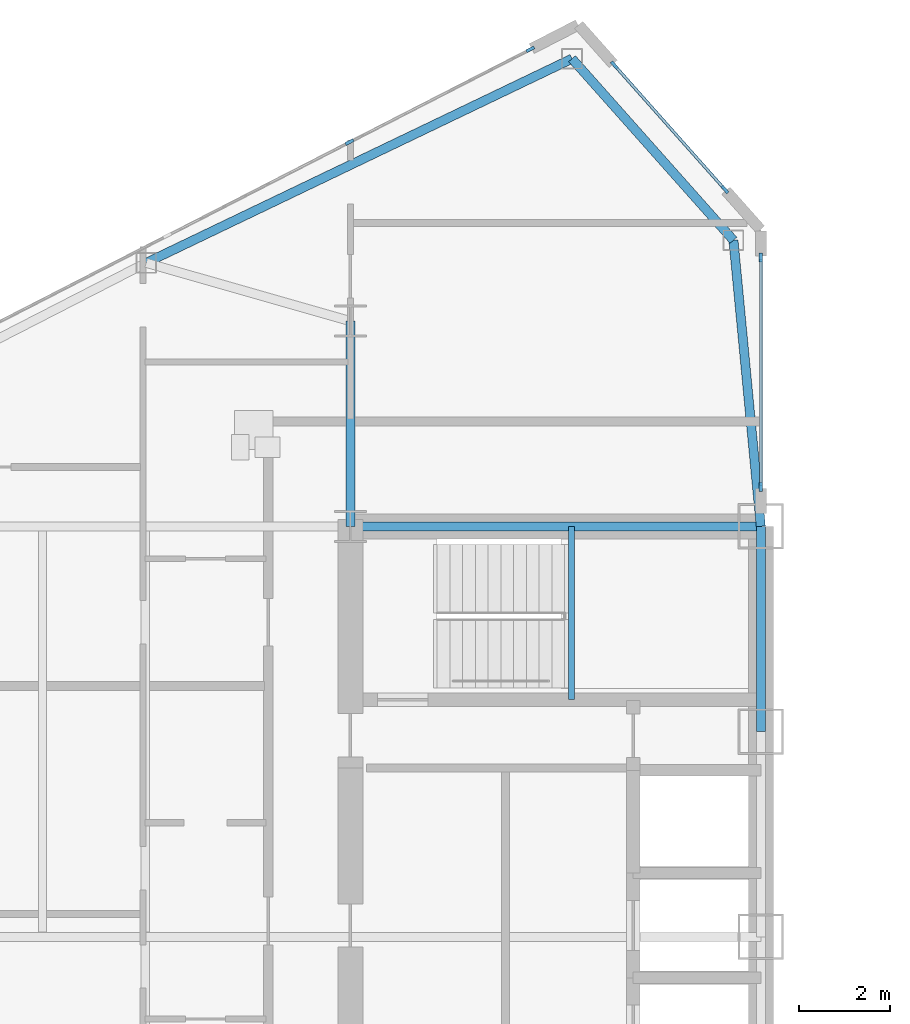
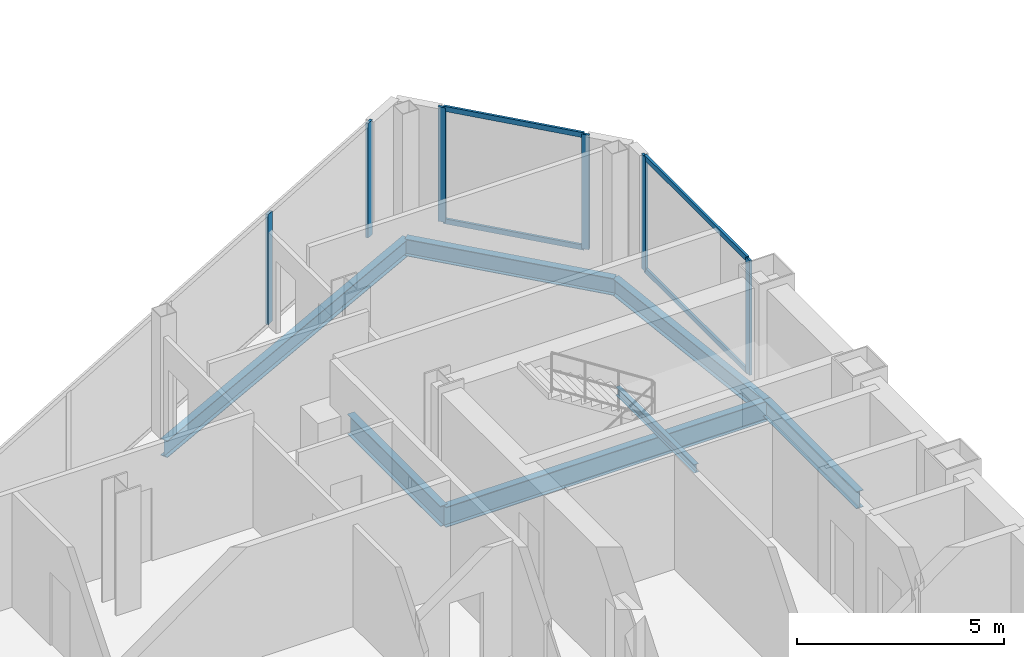
# One storey, part 7 of 23: 10 members, 7 beams, 3 elements without a shape of their own.
"""IFC4 building model written with IfcOpenShell, lengths in metres."""

from ifc_helpers import new_model, si_unit, direction, frame, origin, origin_2d, place, context, subcontext, project, spatial, rectangle, i_section, extrude, source, transform, mapped, material, layer, layer_set, material_profile, profile_set, type_object, type_shapes, element, aggregate, save


model = new_model("IFC4")

# Units and contexts
model_context = context("Model", 3, precision=1e-05, world=origin(), true_north=direction((0.0, 1.0)))
body_context = subcontext(model_context, "Body", "Model", "MODEL_VIEW")
ifc_project = project(units=[si_unit("LENGTHUNIT", "METRE"), si_unit("AREAUNIT", "SQUARE_METRE"), si_unit("VOLUMEUNIT", "CUBIC_METRE"), si_unit("PLANEANGLEUNIT", "RADIAN"), si_unit("MASSUNIT", "GRAM", prefix="KILO")], contexts=[model_context])

# Site, building, storey
site_placement = place(None, origin())
site = spatial("IfcSite", under=ifc_project, at=site_placement, CompositionType="ELEMENT")
building_placement = place(site_placement, origin())
building = spatial("IfcBuilding", under=site, at=building_placement, Name="Seokmaru Belvedere", CompositionType="ELEMENT")
storey_placement = place(building_placement, frame((0.0, 0.0, 144.0)))
storey = spatial("IfcBuildingStorey", under=building, at=storey_placement, Name="L38", CompositionType="ELEMENT", Elevation=144.0)

# Beams
ifc_material_1 = material(Name="Steel SM355 (355 MPa)", Category="steel")
ifc_material_profile_1 = material_profile(ifc_material_1, i_section(OverallWidth=0.199951171875, OverallDepth=0.5, WebThickness=0.010009765625, FlangeThickness=0.01611328125, at=origin_2d()), Name="H-500x200x10x16")
ifc_profile_set_1 = profile_set([ifc_material_profile_1], Name="Steel SM355 (355 MPa)")
beam_type_1 = type_object("IfcBeamType", Name="Perimeter Spandrel Beam H-500", PredefinedType="SPANDREL", material=ifc_profile_set_1)
shared_shape_1 = source(origin(), body_context, "Body", "SweptSolid", [
    extrude(i_section(OverallWidth=0.199951171875, OverallDepth=0.5, WebThickness=0.010009765625, FlangeThickness=0.01611328125, at=origin_2d()), origin(), (0.0, 0.0, 1.0), 4.5),
])
beam_1_placement = place(storey_placement, frame((-27.5, 9.0, -0.469970703125), z_axis=(0.0, 1.0, 0.0), x_axis=(-1.0, 0.0, 0.0)))
element("IfcBeam", 1, at=beam_1_placement, inside=storey, type_object=beam_type_1, Name="L38 W Portal Spine Spandrel 5", PredefinedType="SPANDREL", context=body_context, shape_type="MappedRepresentation", body=[
    mapped(shared_shape_1, transform((0.0, 0.0, 0.0), scale=1.0)),
])
ifc_material_profile_2 = material_profile(ifc_material_1, i_section(OverallWidth=0.199951171875, OverallDepth=0.60009765625, WebThickness=0.010986328125, FlangeThickness=0.01708984375, at=origin_2d()), Name="H-600x200x11x17")
ifc_profile_set_2 = profile_set([ifc_material_profile_2], Name="Steel SM355 (355 MPa)")
beam_type_2 = type_object("IfcBeamType", Name="Primary Floor Girder H-600", PredefinedType="BEAM", material=ifc_profile_set_2)
shared_shape_2 = source(origin(), body_context, "Body", "SweptSolid", [
    extrude(i_section(OverallWidth=0.199951171875, OverallDepth=0.60009765625, WebThickness=0.010986328125, FlangeThickness=0.01708984375, at=origin_2d()), origin(), (0.0, 0.0, 1.0), 9.0),
])
beam_2_placement = place(storey_placement, frame((-36.5, 13.5, -0.52001953125), z_axis=(1.0, 0.0, 0.0), x_axis=(0.0, 1.0, 0.0)))
element("IfcBeam", 2, at=beam_2_placement, inside=storey, type_object=beam_type_2, Name="L38 W Core Tie Girder 4", PredefinedType="BEAM", context=body_context, shape_type="MappedRepresentation", body=[
    mapped(shared_shape_2, transform((0.0, 0.0, 0.0), scale=1.0)),
])
shared_shape_3 = source(origin(), body_context, "Body", "SweptSolid", [
    extrude(i_section(OverallWidth=0.199951171875, OverallDepth=0.60009765625, WebThickness=0.010986328125, FlangeThickness=0.01708984375, at=origin_2d()), origin(), (0.0, 0.0, 1.0), 4.5),
])
type_shapes(beam_type_2, [shared_shape_2, shared_shape_3])
beam_3_placement = place(storey_placement, frame((-36.5, 13.5, -0.52001953125), z_axis=(0.0, 1.0, 0.0), x_axis=(-1.0, 0.0, 0.0)))
element("IfcBeam", 3, at=beam_3_placement, inside=storey, type_object=beam_type_2, Name="L38 W Core Shoulder Girder N", PredefinedType="BEAM", context=body_context, shape_type="MappedRepresentation", body=[
    mapped(shared_shape_3, transform((0.0, 0.0, 0.0), scale=1.0)),
])
shared_shape_4 = source(origin(), body_context, "Body", "SweptSolid", [
    extrude(i_section(OverallWidth=0.199951171875, OverallDepth=0.5, WebThickness=0.010009765625, FlangeThickness=0.01611328125, at=origin_2d()), origin(), (0.0, 0.0, 1.0), 10.353759765625),
])
beam_4_placement = place(storey_placement, frame((-31.6396484375, 23.75390625, -0.469970703125), z_axis=(-0.901713202822, -0.432334708134, 0.0), x_axis=(0.432334708134, -0.901713202822, 0.0)))
element("IfcBeam", 4, at=beam_4_placement, inside=storey, type_object=beam_type_1, Name="L38 W Faceted Flank Spandrel N-1", PredefinedType="SPANDREL", context=body_context, shape_type="MappedRepresentation", body=[
    mapped(shared_shape_4, transform((0.0, 0.0, 0.0), scale=1.0)),
])
shared_shape_5 = source(origin(), body_context, "Body", "SweptSolid", [
    extrude(i_section(OverallWidth=0.199951171875, OverallDepth=0.5, WebThickness=0.010009765625, FlangeThickness=0.01611328125, at=origin_2d()), origin(), (0.0, 0.0, 1.0), 5.32763671875),
])
beam_5_placement = place(storey_placement, frame((-31.6396484375, 23.75390625, -0.469970703125), z_axis=(0.66436952742, -0.74740426212, 0.0), x_axis=(0.74740426212, 0.66436952742, 0.0)))
element("IfcBeam", 5, at=beam_5_placement, inside=storey, type_object=beam_type_1, Name="L38 W Shoulder Chamfer Spandrel N", PredefinedType="SPANDREL", context=body_context, shape_type="MappedRepresentation", body=[
    mapped(shared_shape_5, transform((0.0, 0.0, 0.0), scale=1.0)),
])
shared_shape_6 = source(origin(), body_context, "Body", "SweptSolid", [
    extrude(i_section(OverallWidth=0.199951171875, OverallDepth=0.5, WebThickness=0.010009765625, FlangeThickness=0.01611328125, at=origin_2d()), origin(), (0.0, 0.0, 1.0), 6.300537109375),
])
type_shapes(beam_type_1, [shared_shape_1, shared_shape_4, shared_shape_5, shared_shape_6])
beam_6_placement = place(storey_placement, frame((-28.10009765625, 19.77197265625, -0.469970703125), z_axis=(0.095244287992, -0.995453929424, 0.0), x_axis=(0.995453929424, 0.095244287992, 0.0)))
element("IfcBeam", 6, at=beam_6_placement, inside=storey, type_object=beam_type_1, Name="L38 W Shoulder Spine Spandrel N", PredefinedType="SPANDREL", context=body_context, shape_type="MappedRepresentation", body=[
    mapped(shared_shape_6, transform((0.0, 0.0, 0.0), scale=1.0)),
])

# Curtain wall, members
ifc_material_2 = material(Name="Bronze Triple Insulating Glass", Category="glass")
ifc_layer = layer(ifc_material_2, 0.195068359375)
ifc_layer_set = layer_set([ifc_layer], Name="Bronze Triple Insulating Glass")
curtain_wall_type = type_object("IfcCurtainWallType", Name="Sky-Lobby and Mid-Rise Curtain Wall System CW-4", PredefinedType="NOTDEFINED", material=ifc_layer_set)
curtain_wall_1_placement = place(storey_placement, origin())
curtain_wall_1 = element("IfcCurtainWall", 7, at=curtain_wall_1_placement, inside=storey, type_object=curtain_wall_type, Name="L38 Curtain Wall WSP_2", PredefinedType="NOTDEFINED")
ifc_material_3 = material(Name="Anodised Bronze Aluminium", Category="aluminium")
ifc_material_profile_3 = material_profile(ifc_material_3, rectangle(XDim=0.070068359375, YDim=0.195068359375, at=origin_2d()), Name="CW-M-70x195")
ifc_profile_set_3 = profile_set([ifc_material_profile_3], Name="Anodised Bronze Aluminium")
member_type_1 = type_object("IfcMemberType", Name="Bronze Unitised Mullion 70x195", PredefinedType="MULLION", material=ifc_profile_set_3)
shared_shape_7 = source(origin(), body_context, "Body", "SweptSolid", [
    extrude(rectangle(XDim=0.070068359375, YDim=0.195068359375, at=origin_2d()), origin(), (0.0, 0.0, 1.0), 3.3798828125),
])
member_1_placement = place(storey_placement, frame((-27.5, 14.364990234375, 0.0), z_axis=(0.0, 0.0, 1.0), x_axis=(-1.0, 0.0, 0.0)))
member_1 = element("IfcMember", 8, at=member_1_placement, type_object=member_type_1, Name="CW:L38:WSP_2 Mullion 1", PredefinedType="MULLION", context=body_context, shape_type="MappedRepresentation", body=[
    mapped(shared_shape_7, transform((0.0, 0.0, 0.0), scale=1.0)),
])
member_2_placement = place(storey_placement, frame((-27.5, 19.39501953125, 0.0), z_axis=(0.0, 0.0, 1.0), x_axis=(-1.0, 0.0, 0.0)))
member_2 = element("IfcMember", 9, at=member_2_placement, type_object=member_type_1, Name="CW:L38:WSP_2 Mullion 2", PredefinedType="MULLION", context=body_context, shape_type="MappedRepresentation", body=[
    mapped(shared_shape_7, transform((0.0, 0.0, 0.0), scale=1.0)),
])

curtain_wall_2_placement = place(storey_placement, origin())
curtain_wall_2 = element("IfcCurtainWall", 10, at=curtain_wall_2_placement, inside=storey, type_object=curtain_wall_type, Name="L38 Curtain Wall WF2", PredefinedType="NOTDEFINED")
member_3_placement = place(storey_placement, frame((-28.287353515625, 20.8857421875, 0.0), z_axis=(0.0, 0.0, 1.0), x_axis=(-0.747409774804, -0.664363325694, 0.0)))
member_3 = element("IfcMember", 11, at=member_3_placement, type_object=member_type_1, Name="CW:L38:WF2 Mullion 1", PredefinedType="MULLION", context=body_context, shape_type="MappedRepresentation", body=[
    mapped(shared_shape_7, transform((0.0, 0.0, 0.0), scale=1.0)),
])
member_4_placement = place(storey_placement, frame((-30.712646484375, 23.6142578125, 0.0), z_axis=(0.0, 0.0, 1.0), x_axis=(-0.747409774804, -0.664363325694, 0.0)))
member_4 = element("IfcMember", 12, at=member_4_placement, type_object=member_type_1, Name="CW:L38:WF2 Mullion 2", PredefinedType="MULLION", context=body_context, shape_type="MappedRepresentation", body=[
    mapped(shared_shape_7, transform((0.0, 0.0, 0.0), scale=1.0)),
])

# Curtain wall, member
curtain_wall_3_placement = place(storey_placement, origin())
curtain_wall_3 = element("IfcCurtainWall", 13, at=curtain_wall_3_placement, inside=storey, type_object=curtain_wall_type, Name="L38 Curtain Wall WF3", PredefinedType="NOTDEFINED")
member_5_placement = place(storey_placement, frame((-32.55419921875, 23.958984375, 0.0), z_axis=(0.0, 0.0, 1.0), x_axis=(0.456554528263, -0.889695432562, 0.0)))
member_5 = element("IfcMember", 14, at=member_5_placement, type_object=member_type_1, Name="CW:L38:WF3 Mullion 1", PredefinedType="MULLION", context=body_context, shape_type="MappedRepresentation", body=[
    mapped(shared_shape_7, transform((0.0, 0.0, 0.0), scale=1.0)),
])

# Member
ifc_material_profile_4 = material_profile(ifc_material_3, rectangle(XDim=0.06494140625, YDim=0.14990234375, at=origin_2d()), Name="CW-T-65x150")
ifc_profile_set_4 = profile_set([ifc_material_profile_4], Name="Anodised Bronze Aluminium")
member_type_2 = type_object("IfcMemberType", Name="Bronze Unitised Transom 65x150", PredefinedType="USERDEFINED", material=ifc_profile_set_4)
shared_shape_8 = source(origin(), body_context, "Body", "SweptSolid", [
    extrude(rectangle(XDim=0.06494140625, YDim=0.14990234375, at=origin_2d()), origin(), (0.0, 0.0, 1.0), 3.580810546875),
])
member_6_placement = place(storey_placement, frame((-28.310546875, 20.911865234375, 0.032470703125), z_axis=(-0.66436383883, 0.747409318684, 0.0), x_axis=(-0.747409318684, -0.66436383883, 0.0)))
member_6 = element("IfcMember", 15, at=member_6_placement, type_object=member_type_2, Name="CW:L38:WF2 Continuous Transom 1", ObjectType="TRANSOM", PredefinedType="USERDEFINED", context=body_context, shape_type="MappedRepresentation", body=[
    mapped(shared_shape_8, transform((0.0, 0.0, 0.0), scale=1.0)),
])

member_7_placement = place(storey_placement, frame((-28.310546875, 20.911865234375, 3.347412109375), z_axis=(-0.66436383883, 0.747409318684, 0.0), x_axis=(-0.747409318684, -0.66436383883, 0.0)))
member_7 = element("IfcMember", 16, at=member_7_placement, type_object=member_type_2, Name="CW:L38:WF2 Continuous Transom 2", ObjectType="TRANSOM", PredefinedType="USERDEFINED", context=body_context, shape_type="MappedRepresentation", body=[
    mapped(shared_shape_8, transform((0.0, 0.0, 0.0), scale=1.0)),
])

aggregate(curtain_wall_2, [member_3, member_4, member_6, member_7])

shared_shape_9 = source(origin(), body_context, "Body", "SweptSolid", [
    extrude(rectangle(XDim=0.070068359375, YDim=0.195068359375, at=origin_2d()), origin(), (0.0, 0.0, 1.0), 3.25),
])
type_shapes(member_type_1, [shared_shape_7, shared_shape_9])
member_8_placement = place(storey_placement, frame((-36.51806640625, 21.925048828125, 0.06494140625), z_axis=(0.0, 0.0, 1.0), x_axis=(0.456554528263, -0.889695432562, 0.0)))
member_8 = element("IfcMember", 17, at=member_8_placement, type_object=member_type_1, Name="CW:L38:WF3 Mullion 2", PredefinedType="MULLION", context=body_context, shape_type="MappedRepresentation", body=[
    mapped(shared_shape_9, transform((0.0, 0.0, 0.0), scale=1.0)),
])

aggregate(curtain_wall_3, [member_5, member_8])

shared_shape_10 = source(origin(), body_context, "Body", "SweptSolid", [
    extrude(rectangle(XDim=0.06494140625, YDim=0.14990234375, at=origin_2d()), origin(), (0.0, 0.0, 1.0), 4.960205078125),
])
type_shapes(member_type_2, [shared_shape_8, shared_shape_10])
member_9_placement = place(storey_placement, frame((-27.5, 14.39990234375, 0.032470703125), z_axis=(0.0, 1.0, 0.0), x_axis=(-1.0, 0.0, 0.0)))
member_9 = element("IfcMember", 18, at=member_9_placement, type_object=member_type_2, Name="CW:L38:WSP_2 Continuous Transom 1", ObjectType="TRANSOM", PredefinedType="USERDEFINED", context=body_context, shape_type="MappedRepresentation", body=[
    mapped(shared_shape_10, transform((0.0, 0.0, 0.0), scale=1.0)),
])

member_10_placement = place(storey_placement, frame((-27.5, 14.39990234375, 3.347412109375), z_axis=(0.0, 1.0, 0.0), x_axis=(-1.0, 0.0, 0.0)))
member_10 = element("IfcMember", 19, at=member_10_placement, type_object=member_type_2, Name="CW:L38:WSP_2 Continuous Transom 2", ObjectType="TRANSOM", PredefinedType="USERDEFINED", context=body_context, shape_type="MappedRepresentation", body=[
    mapped(shared_shape_10, transform((0.0, 0.0, 0.0), scale=1.0)),
])

aggregate(curtain_wall_1, [member_1, member_2, member_9, member_10])

# Beam
ifc_material_profile_5 = material_profile(ifc_material_1, i_section(OverallWidth=0.125, OverallDepth=0.25, WebThickness=0.006103515625, FlangeThickness=0.009033203125, at=origin_2d()), Name="H-250x125x6x9")
ifc_profile_set_5 = profile_set([ifc_material_profile_5], Name="Steel SM355 (355 MPa)")
beam_type_3 = type_object("IfcBeamType", Name="Stair Mid-Landing Support Beam H-250", PredefinedType="JOIST", material=ifc_profile_set_5)
shared_shape_11 = source(origin(), body_context, "Body", "SweptSolid", [
    extrude(i_section(OverallWidth=0.125, OverallDepth=0.25, WebThickness=0.006103515625, FlangeThickness=0.009033203125, at=origin_2d()), origin(), (0.0, 0.0, 1.0), 3.800048828125),
])
type_shapes(beam_type_3, [shared_shape_11])
beam_7_placement = place(storey_placement, frame((-31.64990234375, 9.699951171875, 1.47509765625), z_axis=(0.0, 1.0, 0.0), x_axis=(-1.0, 0.0, 0.0)))
element("IfcBeam", 20, at=beam_7_placement, inside=storey, type_object=beam_type_3, Name="L38 Stair ST-W2 Mid-Landing Support Beam 1", PredefinedType="JOIST", context=body_context, shape_type="MappedRepresentation", body=[
    mapped(shared_shape_11, transform((0.0, 0.0, 0.0), scale=1.0)),
])

save(model, "model.ifc")
